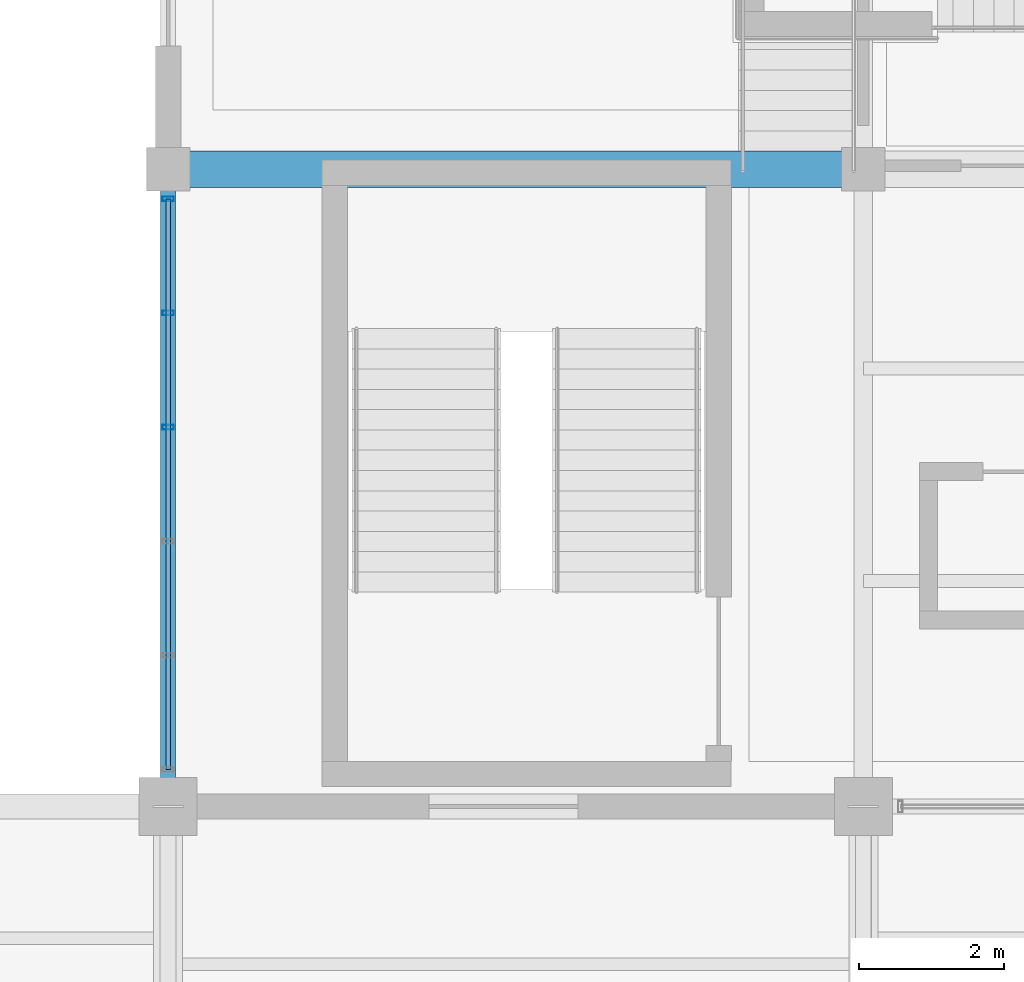
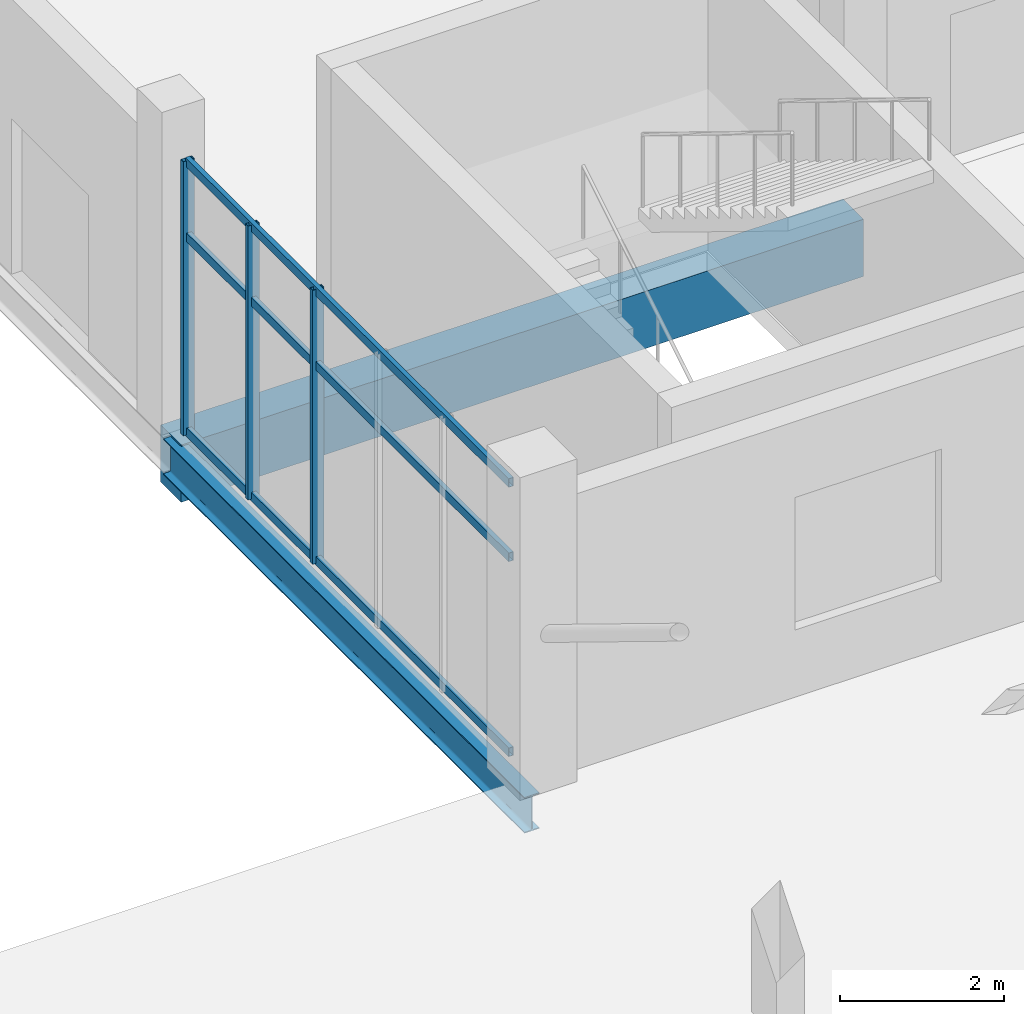
# One storey, part 24 of 116: 6 members, 2 beams, 1 element without a shape of its own.
"""IFC4 building model written with IfcOpenShell, lengths in metres."""

import ifcopenshell
import ifcopenshell.guid

model = None  # the IFC model being written
_history = None  # IfcOwnerHistory: only IFC2X3 demands one
_inside = {}  # id of a spatial element -> (the spatial element, [elements in it])
_under = {}  # id of a project, library or spatial element -> (it, [spatial elements below it])
_declared = {}  # id of a project -> (the project, [libraries it declares])
_typed = {}  # id of a type object -> (the type object, [elements of that type])
_made_of = {}  # id of a material, layer set ... -> (it, [elements and type objects made of it])


def new_model(schema):
    """Start an empty IFC model of exactly this schema.

    Asked for "IFC4X3", IfcOpenShell would pick the latest addendum, in which some entities
    have other attributes; the version numbers below select the first issue.
    IFC2X3 requires an IfcOwnerHistory on every rooted entity: one is made here for all.
    """
    global model, _history
    if schema == "IFC4X3":
        model = ifcopenshell.file(schema_version=(4, 3, 0, 0))
    else:
        model = ifcopenshell.file(schema=schema)
    _inside.clear()
    _under.clear()
    _declared.clear()
    _typed.clear()
    _made_of.clear()
    _history = None
    if model.schema == "IFC2X3":
        org = make("IfcOrganization", Name="unknown")
        user = make(
            "IfcPersonAndOrganization",
            ThePerson=make("IfcPerson", FamilyName="unknown"),
            TheOrganization=org,
        )
        app = make(
            "IfcApplication",
            ApplicationDeveloper=org,
            Version="unknown",
            ApplicationFullName="unknown",
            ApplicationIdentifier="unknown",
        )
        _history = make(
            "IfcOwnerHistory",
            OwningUser=user,
            OwningApplication=app,
            ChangeAction="ADDED",
            CreationDate=0,
        )
    return model


def make(cls, **values):
    """One entity of the class cls with the attributes given. An attribute that is None is left unset."""
    return model.create_entity(
        cls, **{name: value for name, value in values.items() if value is not None}
    )


def rooted(cls, **values):
    """An entity with a GlobalId (a new one), such as an element, a storey or a relation."""
    return make(cls, GlobalId=ifcopenshell.guid.new(), OwnerHistory=_history, **values)


def si_unit(unit_type, name, prefix=None):
    """IfcSIUnit, for example si_unit("LENGTHUNIT", "METRE", prefix="MILLI")."""
    return make("IfcSIUnit", UnitType=unit_type, Prefix=prefix, Name=name)


def assignment(units):
    """IfcUnitAssignment: the units of a project."""
    return None if units is None else make("IfcUnitAssignment", Units=units)


def point(xyz):
    """IfcCartesianPoint."""
    return None if xyz is None else make("IfcCartesianPoint", Coordinates=xyz)


def direction(xyz):
    """IfcDirection."""
    return None if xyz is None else make("IfcDirection", DirectionRatios=xyz)


def frame(location, z_axis=None, x_axis=None):
    """IfcAxis2Placement3D, a coordinate frame: its origin and axes. An axis left out is left unset."""
    return make(
        "IfcAxis2Placement3D",
        Location=point(location),
        Axis=direction(z_axis),
        RefDirection=direction(x_axis),
    )


def frame_2d(location, x_axis=None):
    """IfcAxis2Placement2D, a coordinate frame in the plane: its origin and x axis."""
    return make(
        "IfcAxis2Placement2D", Location=point(location), RefDirection=direction(x_axis)
    )


def origin():
    """The frame at (0, 0, 0) with its axes left unset."""
    return frame((0.0, 0.0, 0.0))


def origin_2d():
    """The frame at (0, 0) in the plane with its x axis left unset."""
    return frame_2d((0.0, 0.0))


def place(relative_to, where):
    """IfcLocalPlacement: puts the frame where relative to a parent placement (None: the world)."""
    return make(
        "IfcLocalPlacement", PlacementRelTo=relative_to, RelativePlacement=where
    )


def context(
    kind, dimensions, precision=None, world=None, true_north=None, identifier=None
):
    """IfcGeometricRepresentationContext, for example the 3D "Model" context."""
    return make(
        "IfcGeometricRepresentationContext",
        ContextIdentifier=identifier,
        ContextType=kind,
        CoordinateSpaceDimension=dimensions,
        Precision=precision,
        WorldCoordinateSystem=world,
        TrueNorth=true_north,
    )


def subcontext(parent, identifier, kind, view, scale=None):
    """IfcGeometricRepresentationSubContext, for example "Body" below "Model"."""
    return make(
        "IfcGeometricRepresentationSubContext",
        ContextIdentifier=identifier,
        ContextType=kind,
        ParentContext=parent,
        TargetScale=scale,
        TargetView=view,
    )


def project(units=None, contexts=None):
    """IfcProject with its units and contexts."""
    return rooted(
        "IfcProject",
        Name="project",
        RepresentationContexts=contexts,
        UnitsInContext=assignment(units),
    )


def spatial(cls, under=None, at=None, **own):
    """A site, building, storey or space (cls), placed at a placement, below another one or the project."""
    s = rooted(cls, ObjectPlacement=at, **own)
    if under is not None:
        _under.setdefault(under.id(), (under, []))[1].append(s)
    return s


def profile(cls, at=None, kind="AREA", **sizes):
    """A parametric profile (cls). Its sizes go by their IFC names, for example OverallWidth=200.0."""
    return make(cls, ProfileType=kind, Position=at, **sizes)


def rectangle(**sizes):
    """IfcRectangleProfileDef."""
    return profile("IfcRectangleProfileDef", **sizes)


def hollow_rectangle(**sizes):
    """IfcRectangleHollowProfileDef."""
    return profile("IfcRectangleHollowProfileDef", **sizes)


def i_section(**sizes):
    """IfcIShapeProfileDef."""
    return profile("IfcIShapeProfileDef", **sizes)


def extrude(swept, where, along, depth):
    """IfcExtrudedAreaSolid: the profile swept, set in the frame where, extruded along a direction by depth."""
    return make(
        "IfcExtrudedAreaSolid",
        SweptArea=swept,
        Position=where,
        ExtrudedDirection=direction(along),
        Depth=depth,
    )


def shape(context_of_items, identifier, shape_type, items):
    """IfcShapeRepresentation: the items that make up one representation, for example the "Body"."""
    return make(
        "IfcShapeRepresentation",
        ContextOfItems=context_of_items,
        RepresentationIdentifier=identifier,
        RepresentationType=shape_type,
        Items=items,
    )


def material(Name=None, Category=None):
    """IfcMaterial."""
    return make("IfcMaterial", Name=Name, Category=Category)


def layer(
    of_material, thickness, ventilated=None, Name=None, Category=None, Priority=None
):
    """IfcMaterialLayer: one layer of a wall or slab, of a material (None: an air gap)."""
    return make(
        "IfcMaterialLayer",
        Material=of_material,
        LayerThickness=thickness,
        IsVentilated=ventilated,
        Name=Name,
        Category=Category,
        Priority=Priority,
    )


def layer_set(layers, Name=None):
    """IfcMaterialLayerSet."""
    return make("IfcMaterialLayerSet", MaterialLayers=layers, LayerSetName=Name)


def material_profile(
    of_material, cross_section, Name=None, Category=None, Priority=None
):
    """IfcMaterialProfile: a cross section and its material."""
    return make(
        "IfcMaterialProfile",
        Name=Name,
        Material=of_material,
        Profile=cross_section,
        Priority=Priority,
        Category=Category,
    )


def profile_set(profiles, Name=None, composite=None):
    """IfcMaterialProfileSet."""
    return make(
        "IfcMaterialProfileSet",
        Name=Name,
        MaterialProfiles=profiles,
        CompositeProfile=composite,
    )


def made_of(thing, what):
    """Note that an element or type object is made of a material, layer set ...; save() writes the relation."""
    if what is not None:
        _made_of.setdefault(what.id(), (what, []))[1].append(thing)
    return thing


def type_object(cls, material=None, **own):
    """A type object (cls), such as IfcWallType, which elements share."""
    return made_of(rooted(cls, **own), material)


def element(
    cls,
    number,
    at=None,
    inside=None,
    cuts=None,
    type_object=None,
    material=None,
    context=None,
    identifier="Body",
    shape_type=None,
    held_by="IfcProductDefinitionShape",
    body=None,
    shapes=None,
    **own,
):
    """One element of the class cls, such as IfcWall. Its Tag is "e" and its number.

    at: its placement. inside: the storey or other place that contains it. cuts: it is an
    opening in that element (IfcRelVoidsElement). A single representation is given by context,
    identifier, shape_type and body (its items); several are given by shapes. held_by: the class
    of the entity that holds the representations. save() writes the other relations.
    """
    e = rooted(cls, Tag="e%d" % number, ObjectPlacement=at, **own)
    if body is not None:
        shapes = [shape(context, identifier, shape_type, body)]
    if shapes is not None:
        e.Representation = make(held_by, Representations=shapes)
    if inside is not None:
        _inside.setdefault(inside.id(), (inside, []))[1].append(e)
    if cuts is not None:
        rooted(
            "IfcRelVoidsElement", RelatingBuildingElement=cuts, RelatedOpeningElement=e
        )
    if type_object is not None:
        _typed.setdefault(type_object.id(), (type_object, []))[1].append(e)
    return made_of(e, material)


def aggregate(whole, parts):
    """IfcRelAggregates: a whole, such as a stair, and the parts it consists of."""
    return rooted("IfcRelAggregates", RelatingObject=whole, RelatedObjects=parts)


def save(model, path):
    """Write the relations noted so far, then the file.

    IfcRelAggregates (storeys below a building ...), IfcRelContainedInSpatialStructure (elements
    in a storey), IfcRelDefinesByType, IfcRelAssociatesMaterial and IfcRelDeclares: one each for
    every whole, place, type object, material and project.
    """
    for whole, parts in _under.values():
        aggregate(whole, parts)
    for where, things in _inside.values():
        rooted(
            "IfcRelContainedInSpatialStructure",
            RelatedElements=things,
            RelatingStructure=where,
        )
    for kind, things in _typed.values():
        rooted("IfcRelDefinesByType", RelatedObjects=things, RelatingType=kind)
    for what, things in _made_of.values():
        rooted("IfcRelAssociatesMaterial", RelatedObjects=things, RelatingMaterial=what)
    for by, libraries in _declared.values():
        rooted("IfcRelDeclares", RelatingContext=by, RelatedDefinitions=libraries)
    model.write(path)


model = new_model("IFC4")

# Units and contexts
model_context = context("Model", 3, precision=1e-05, world=origin(), true_north=direction((0.0, 1.0)))
body_context = subcontext(model_context, "Body", "Model", "MODEL_VIEW")
ifc_project = project(units=[si_unit("LENGTHUNIT", "METRE"), si_unit("AREAUNIT", "SQUARE_METRE"), si_unit("VOLUMEUNIT", "CUBIC_METRE"), si_unit("PLANEANGLEUNIT", "RADIAN"), si_unit("MASSUNIT", "GRAM", prefix="KILO")], contexts=[model_context])

# Site, building, storey
site_placement = place(None, origin())
site = spatial("IfcSite", under=ifc_project, at=site_placement, CompositionType="ELEMENT")
building_placement = place(site_placement, origin())
building = spatial("IfcBuilding", under=site, at=building_placement, Name="Chalmorin Arch Market", CompositionType="ELEMENT")
storey_placement = place(building_placement, origin())
storey = spatial("IfcBuildingStorey", under=building, at=storey_placement, Name="L00", CompositionType="ELEMENT", Elevation=0.0)

# Curtain wall, members
ifc_material_1 = material(Name="Aluminium 6063-T6", Category="aluminium")
ifc_layer = layer(ifc_material_1, 0.159912109375)
ifc_layer_set = layer_set([ifc_layer], Name="Aluminium 6063-T6")
curtain_wall_type = type_object("IfcCurtainWallType", Name="GableTympanumCurtainWall-CW4-7880x4080", PredefinedType="NOTDEFINED", material=ifc_layer_set)
curtain_wall_placement = place(storey_placement, origin())
curtain_wall = element("IfcCurtainWall", 1, at=curtain_wall_placement, inside=storey, type_object=curtain_wall_type, Name="CW-04-025", PredefinedType="NOTDEFINED")
ifc_material_profile_1 = material_profile(ifc_material_1, hollow_rectangle(XDim=0.06494140625, YDim=0.159912109375, WallThickness=0.00390625, at=origin_2d()), Name="ALU65X160X4")
ifc_profile_set_1 = profile_set([ifc_material_profile_1], Name="Aluminium 6063-T6")
member_type_1 = type_object("IfcMemberType", Name="CurtainWallMullion-65x160", PredefinedType="MULLION", material=ifc_profile_set_1)
member_1_placement = place(storey_placement, frame((48.0, 11.238037109375, 0.0), z_axis=(0.0, 0.0, 1.0), x_axis=(0.0, 1.0, 0.0)))
member_1 = element("IfcMember", 2, at=member_1_placement, type_object=member_type_1, Name="ML-025-04", PredefinedType="MULLION", context=body_context, shape_type="SweptSolid", body=[
    extrude(hollow_rectangle(XDim=0.06494140625, YDim=0.159912109375, WallThickness=0.00390625, at=origin_2d()), origin(), (0.0, 0.0, 1.0), 4.075927734375),
])
member_2_placement = place(storey_placement, frame((48.0, 12.81396484375, 0.0), z_axis=(0.0, 0.0, 1.0), x_axis=(0.0, 1.0, 0.0)))
member_2 = element("IfcMember", 3, at=member_2_placement, type_object=member_type_1, Name="ML-025-05", PredefinedType="MULLION", context=body_context, shape_type="SweptSolid", body=[
    extrude(hollow_rectangle(XDim=0.06494140625, YDim=0.159912109375, WallThickness=0.00390625, at=origin_2d()), origin(), (0.0, 0.0, 1.0), 4.075927734375),
])
member_3_placement = place(storey_placement, frame((48.0, 14.389892578125, 0.0), z_axis=(0.0, 0.0, 1.0), x_axis=(0.0, 1.0, 0.0)))
member_3 = element("IfcMember", 4, at=member_3_placement, type_object=member_type_1, Name="ML-025-06", PredefinedType="MULLION", context=body_context, shape_type="SweptSolid", body=[
    extrude(hollow_rectangle(XDim=0.06494140625, YDim=0.159912109375, WallThickness=0.00390625, at=origin_2d()), origin(), (0.0, 0.0, 1.0), 4.075927734375),
])
ifc_material_profile_2 = material_profile(ifc_material_1, hollow_rectangle(XDim=0.06494140625, YDim=0.1298828125, WallThickness=0.00390625, at=origin_2d()), Name="ALU65X130X4")
ifc_profile_set_2 = profile_set([ifc_material_profile_2], Name="Aluminium 6063-T6")
member_type_2 = type_object("IfcMemberType", Name="CurtainWallTransom-65x130", PredefinedType="USERDEFINED", material=ifc_profile_set_2)
member_4_placement = place(storey_placement, frame((48.0, 6.510009765625, 0.034912109375), z_axis=(0.0, 1.0, 0.0), x_axis=(-1.0, 0.0, 0.0)))
member_4 = element("IfcMember", 5, at=member_4_placement, type_object=member_type_2, Name="TR-025-01", ObjectType="TRANSOM", PredefinedType="USERDEFINED", context=body_context, shape_type="SweptSolid", body=[
    extrude(hollow_rectangle(XDim=0.06494140625, YDim=0.1298828125, WallThickness=0.00390625, at=origin_2d()), origin(), (0.0, 0.0, 1.0), 7.8798828125),
])
member_5_placement = place(storey_placement, frame((48.0, 6.510009765625, 2.934814453125), z_axis=(0.0, 1.0, 0.0), x_axis=(-1.0, 0.0, 0.0)))
member_5 = element("IfcMember", 6, at=member_5_placement, type_object=member_type_2, Name="TR-025-02", ObjectType="TRANSOM", PredefinedType="USERDEFINED", context=body_context, shape_type="SweptSolid", body=[
    extrude(hollow_rectangle(XDim=0.06494140625, YDim=0.1298828125, WallThickness=0.00390625, at=origin_2d()), origin(), (0.0, 0.0, 1.0), 7.8798828125),
])
member_6_placement = place(storey_placement, frame((48.0, 6.510009765625, 4.041015625), z_axis=(0.0, 1.0, 0.0), x_axis=(-1.0, 0.0, 0.0)))
member_6 = element("IfcMember", 7, at=member_6_placement, type_object=member_type_2, Name="TR-025-03", ObjectType="TRANSOM", PredefinedType="USERDEFINED", context=body_context, shape_type="SweptSolid", body=[
    extrude(hollow_rectangle(XDim=0.06494140625, YDim=0.1298828125, WallThickness=0.00390625, at=origin_2d()), origin(), (0.0, 0.0, 1.0), 7.8798828125),
])
aggregate(curtain_wall, [member_1, member_2, member_3, member_4, member_5, member_6])

# Beams
ifc_material_2 = material(Name="Steel A992 Grade 50", Category="steel")
ifc_material_profile_3 = material_profile(ifc_material_2, i_section(OverallWidth=0.208984375, OverallDepth=0.532958984375, WebThickness=0.01025390625, FlangeThickness=0.015625, FilletRadius=0.02197265625, at=origin_2d()), Name="W21X62")
ifc_profile_set_3 = profile_set([ifc_material_profile_3], Name="Steel A992 Grade 50")
beam_type_1 = type_object("IfcBeamType", Name="PerimeterSpandrelBeam-W21X62", PredefinedType="SPANDREL", material=ifc_profile_set_3)
beam_1_placement = place(storey_placement, frame((48.0, 6.0, -0.568603515625), z_axis=(0.0, 1.0, 0.0), x_axis=(-1.0, 0.0, 0.0)))
element("IfcBeam", 8, at=beam_1_placement, inside=storey, type_object=beam_type_1, Name="SP-W21-0003", PredefinedType="SPANDREL", context=body_context, shape_type="SweptSolid", body=[
    extrude(i_section(OverallWidth=0.208984375, OverallDepth=0.532958984375, WebThickness=0.01025390625, FlangeThickness=0.015625, FilletRadius=0.02197265625, at=origin_2d()), origin(), (0.0, 0.0, 1.0), 8.800048828125),
])
ifc_material_3 = material(Name="Concrete C40/50", Category="concrete")
ifc_material_profile_4 = material_profile(ifc_material_3, rectangle(XDim=0.5, YDim=0.85009765625, at=origin_2d()), Name="RC500X850")
ifc_profile_set_4 = profile_set([ifc_material_profile_4], Name="Concrete C40/50")
beam_type_2 = type_object("IfcBeamType", Name="PlinthConcreteGirder-500x850", PredefinedType="BEAM", material=ifc_profile_set_4)
beam_2_placement = place(storey_placement, frame((48.0, 14.800048828125, -0.70703125), z_axis=(1.0, 0.0, 0.0), x_axis=(0.0, 1.0, 0.0)))
element("IfcBeam", 9, at=beam_2_placement, inside=storey, type_object=beam_type_2, Name="BG-RC1-0002", PredefinedType="BEAM", context=body_context, shape_type="SweptSolid", body=[
    extrude(rectangle(XDim=0.5, YDim=0.85009765625, at=origin_2d()), origin(), (0.0, 0.0, 1.0), 9.60009765625),
])

save(model, "model.ifc")
